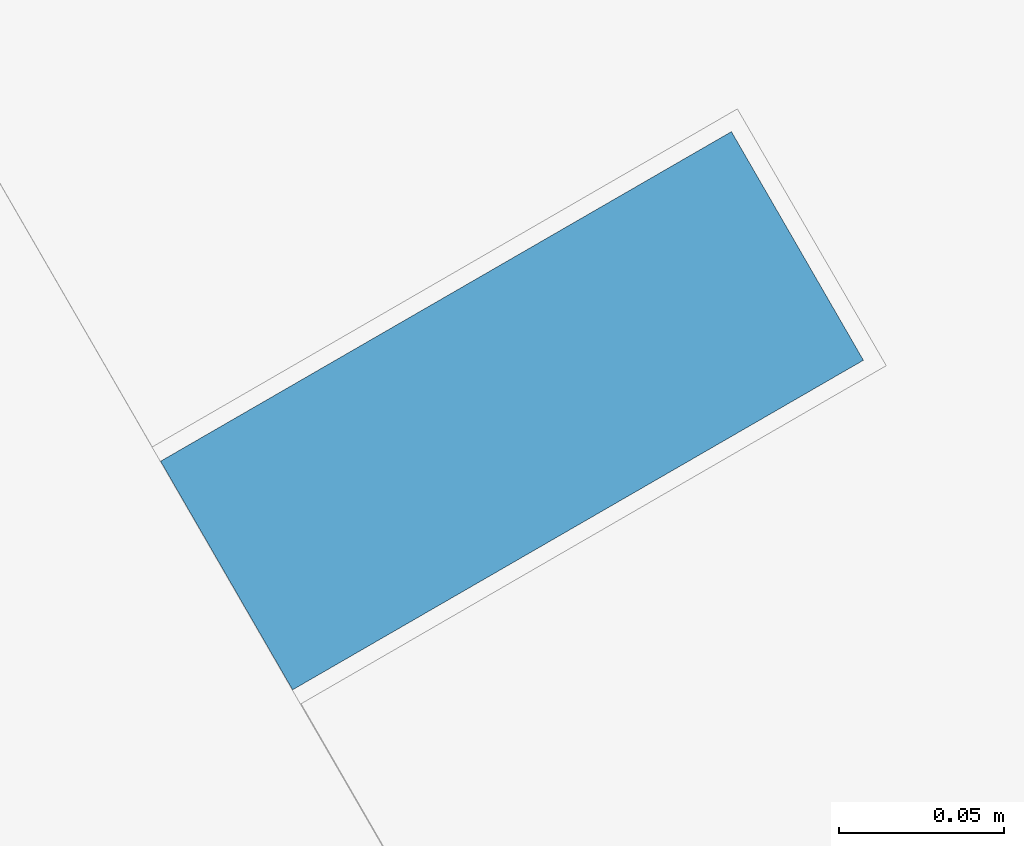
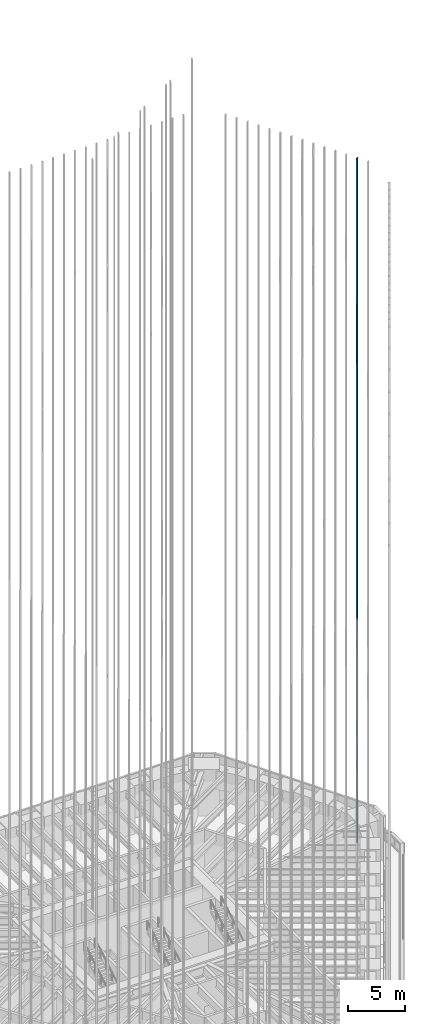
# One storey, part 180 of 228: 1 member, 1 element without a shape of its own.
"""IFC4 building model written with IfcOpenShell, lengths in metres."""

from ifc_helpers import new_model, si_unit, direction, frame, origin, origin_2d, place, context, subcontext, project, spatial, rectangle, extrude, material, material_profile, profile_set, type_object, element, aggregate, save


model = new_model("IFC4")

# Units and contexts
model_context = context("Model", 3, precision=1e-05, world=origin(), true_north=direction((0.0, 1.0)))
body_context = subcontext(model_context, "Body", "Model", "MODEL_VIEW")
ifc_project = project(units=[si_unit("LENGTHUNIT", "METRE"), si_unit("AREAUNIT", "SQUARE_METRE"), si_unit("VOLUMEUNIT", "CUBIC_METRE"), si_unit("PLANEANGLEUNIT", "RADIAN"), si_unit("MASSUNIT", "GRAM", prefix="KILO")], contexts=[model_context])

# Site, building, storey
site_placement = place(None, origin())
site = spatial("IfcSite", under=ifc_project, at=site_placement, CompositionType="ELEMENT")
building_placement = place(site_placement, origin())
building = spatial("IfcBuilding", under=site, at=building_placement, Name="Sandreach Pilgrim Tower", CompositionType="ELEMENT")
storey_placement = place(building_placement, frame((0.0, 0.0, 178.199951171875)))
storey = spatial("IfcBuildingStorey", under=building, at=storey_placement, Name="L44", CompositionType="ELEMENT", Elevation=178.199951171875)

# Curtain wall, member
ifc_material_1 = material(Name="Aluminium framed curtain wall", Category="aluminium")
curtain_wall_type = type_object("IfcCurtainWallType", Name="Upper hotel tower curtain wall", PredefinedType="NOTDEFINED", material=ifc_material_1)
curtain_wall_placement = place(storey_placement, origin())
curtain_wall = element("IfcCurtainWall", 1, at=curtain_wall_placement, inside=storey, type_object=curtain_wall_type, Name="CW-3 L44 NE", PredefinedType="NOTDEFINED")
ifc_material_2 = material(Name="Extruded terracotta on aluminium core", Category="masonry")
ifc_material_profile = material_profile(ifc_material_2, rectangle(XDim=0.080078125, YDim=0.199951171875, at=origin_2d()), Name="TBE 80X200")
ifc_profile_set = profile_set([ifc_material_profile], Name="Extruded terracotta on aluminium core")
member_type = type_object("IfcMemberType", Name="Terracotta baguette east", PredefinedType="USERDEFINED", material=ifc_profile_set)
member_placement = place(storey_placement, frame((26.37158203125, 8.17333984375, 0.0), z_axis=(0.0, 0.0, 1.0), x_axis=(0.5, -0.866025403784, 0.0)))
member = element("IfcMember", 2, at=member_placement, type_object=member_type, Name="Baguette Z3 NE13", ObjectType="BAGUETTE", PredefinedType="USERDEFINED", context=body_context, shape_type="SweptSolid", body=[
    extrude(rectangle(XDim=0.080078125, YDim=0.199951171875, at=origin_2d()), origin(), (0.0, 0.0, 1.0), 73.239990234375),
])
aggregate(curtain_wall, [member])

save(model, "model.ifc")
